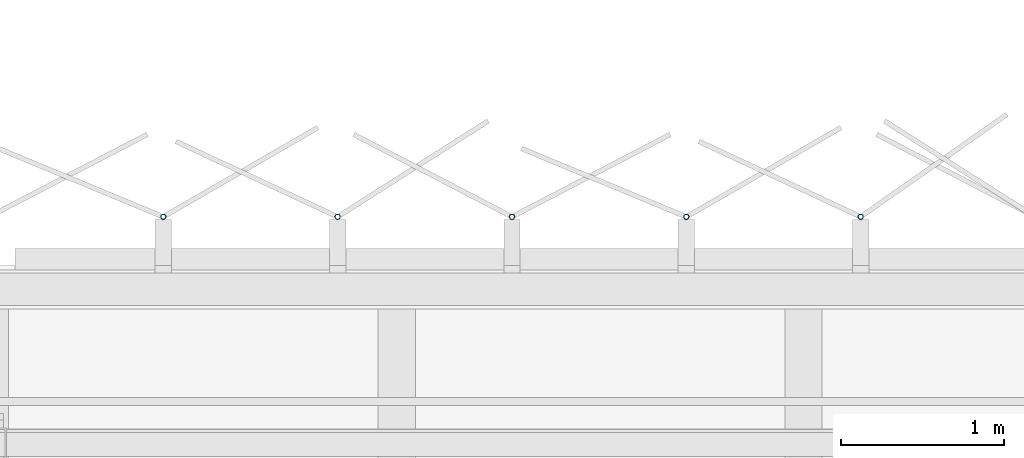
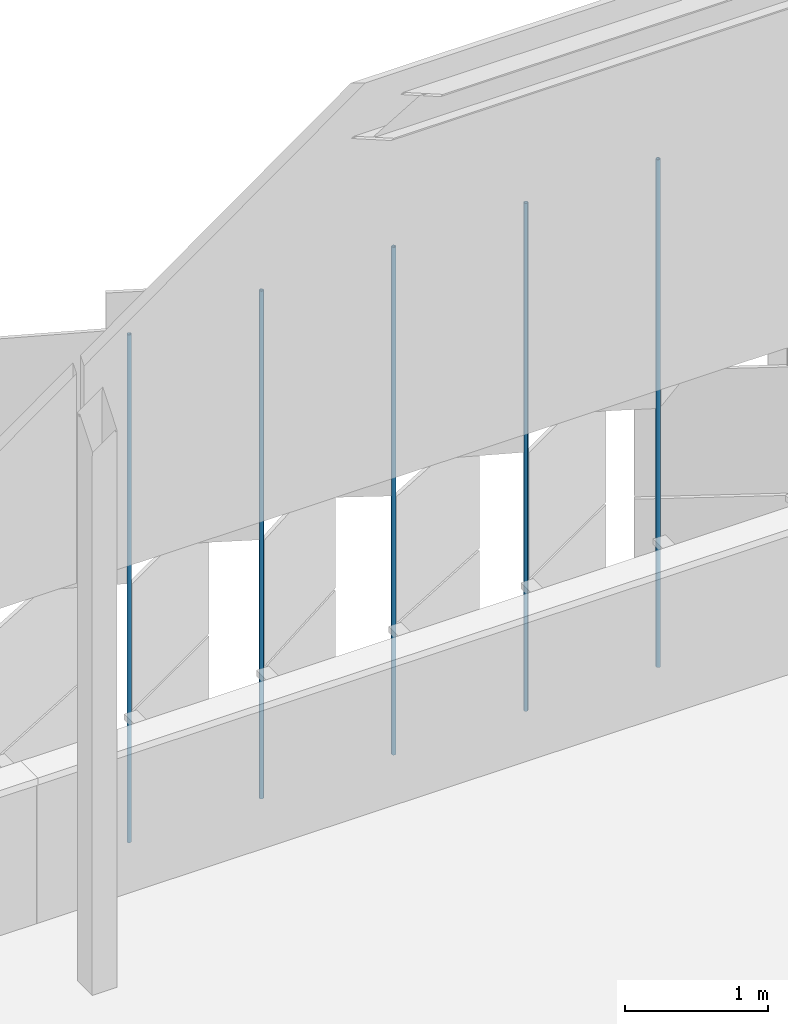
# One storey, part 349 of 483: 5 discrete accessories.
"""IFC4 building model written with IfcOpenShell, lengths in metres."""

import ifcopenshell
import ifcopenshell.guid

model = None  # the IFC model being written
_history = None  # IfcOwnerHistory: only IFC2X3 demands one
_inside = {}  # id of a spatial element -> (the spatial element, [elements in it])
_under = {}  # id of a project, library or spatial element -> (it, [spatial elements below it])
_declared = {}  # id of a project -> (the project, [libraries it declares])
_typed = {}  # id of a type object -> (the type object, [elements of that type])
_made_of = {}  # id of a material, layer set ... -> (it, [elements and type objects made of it])


def new_model(schema):
    """Start an empty IFC model of exactly this schema.

    Asked for "IFC4X3", IfcOpenShell would pick the latest addendum, in which some entities
    have other attributes; the version numbers below select the first issue.
    IFC2X3 requires an IfcOwnerHistory on every rooted entity: one is made here for all.
    """
    global model, _history
    if schema == "IFC4X3":
        model = ifcopenshell.file(schema_version=(4, 3, 0, 0))
    else:
        model = ifcopenshell.file(schema=schema)
    _inside.clear()
    _under.clear()
    _declared.clear()
    _typed.clear()
    _made_of.clear()
    _history = None
    if model.schema == "IFC2X3":
        org = make("IfcOrganization", Name="unknown")
        user = make(
            "IfcPersonAndOrganization",
            ThePerson=make("IfcPerson", FamilyName="unknown"),
            TheOrganization=org,
        )
        app = make(
            "IfcApplication",
            ApplicationDeveloper=org,
            Version="unknown",
            ApplicationFullName="unknown",
            ApplicationIdentifier="unknown",
        )
        _history = make(
            "IfcOwnerHistory",
            OwningUser=user,
            OwningApplication=app,
            ChangeAction="ADDED",
            CreationDate=0,
        )
    return model


def make(cls, **values):
    """One entity of the class cls with the attributes given. An attribute that is None is left unset."""
    return model.create_entity(
        cls, **{name: value for name, value in values.items() if value is not None}
    )


def rooted(cls, **values):
    """An entity with a GlobalId (a new one), such as an element, a storey or a relation."""
    return make(cls, GlobalId=ifcopenshell.guid.new(), OwnerHistory=_history, **values)


def si_unit(unit_type, name, prefix=None):
    """IfcSIUnit, for example si_unit("LENGTHUNIT", "METRE", prefix="MILLI")."""
    return make("IfcSIUnit", UnitType=unit_type, Prefix=prefix, Name=name)


def assignment(units):
    """IfcUnitAssignment: the units of a project."""
    return None if units is None else make("IfcUnitAssignment", Units=units)


def point(xyz):
    """IfcCartesianPoint."""
    return None if xyz is None else make("IfcCartesianPoint", Coordinates=xyz)


def direction(xyz):
    """IfcDirection."""
    return None if xyz is None else make("IfcDirection", DirectionRatios=xyz)


def frame(location, z_axis=None, x_axis=None):
    """IfcAxis2Placement3D, a coordinate frame: its origin and axes. An axis left out is left unset."""
    return make(
        "IfcAxis2Placement3D",
        Location=point(location),
        Axis=direction(z_axis),
        RefDirection=direction(x_axis),
    )


def frame_2d(location, x_axis=None):
    """IfcAxis2Placement2D, a coordinate frame in the plane: its origin and x axis."""
    return make(
        "IfcAxis2Placement2D", Location=point(location), RefDirection=direction(x_axis)
    )


def origin():
    """The frame at (0, 0, 0) with its axes left unset."""
    return frame((0.0, 0.0, 0.0))


def origin_2d():
    """The frame at (0, 0) in the plane with its x axis left unset."""
    return frame_2d((0.0, 0.0))


def place(relative_to, where):
    """IfcLocalPlacement: puts the frame where relative to a parent placement (None: the world)."""
    return make(
        "IfcLocalPlacement", PlacementRelTo=relative_to, RelativePlacement=where
    )


def context(
    kind, dimensions, precision=None, world=None, true_north=None, identifier=None
):
    """IfcGeometricRepresentationContext, for example the 3D "Model" context."""
    return make(
        "IfcGeometricRepresentationContext",
        ContextIdentifier=identifier,
        ContextType=kind,
        CoordinateSpaceDimension=dimensions,
        Precision=precision,
        WorldCoordinateSystem=world,
        TrueNorth=true_north,
    )


def subcontext(parent, identifier, kind, view, scale=None):
    """IfcGeometricRepresentationSubContext, for example "Body" below "Model"."""
    return make(
        "IfcGeometricRepresentationSubContext",
        ContextIdentifier=identifier,
        ContextType=kind,
        ParentContext=parent,
        TargetScale=scale,
        TargetView=view,
    )


def project(units=None, contexts=None):
    """IfcProject with its units and contexts."""
    return rooted(
        "IfcProject",
        Name="project",
        RepresentationContexts=contexts,
        UnitsInContext=assignment(units),
    )


def spatial(cls, under=None, at=None, **own):
    """A site, building, storey or space (cls), placed at a placement, below another one or the project."""
    s = rooted(cls, ObjectPlacement=at, **own)
    if under is not None:
        _under.setdefault(under.id(), (under, []))[1].append(s)
    return s


def profile(cls, at=None, kind="AREA", **sizes):
    """A parametric profile (cls). Its sizes go by their IFC names, for example OverallWidth=200.0."""
    return make(cls, ProfileType=kind, Position=at, **sizes)


def hollow_circle(**sizes):
    """IfcCircleHollowProfileDef."""
    return profile("IfcCircleHollowProfileDef", **sizes)


def extrude(swept, where, along, depth):
    """IfcExtrudedAreaSolid: the profile swept, set in the frame where, extruded along a direction by depth."""
    return make(
        "IfcExtrudedAreaSolid",
        SweptArea=swept,
        Position=where,
        ExtrudedDirection=direction(along),
        Depth=depth,
    )


def shape(context_of_items, identifier, shape_type, items):
    """IfcShapeRepresentation: the items that make up one representation, for example the "Body"."""
    return make(
        "IfcShapeRepresentation",
        ContextOfItems=context_of_items,
        RepresentationIdentifier=identifier,
        RepresentationType=shape_type,
        Items=items,
    )


def material(Name=None, Category=None):
    """IfcMaterial."""
    return make("IfcMaterial", Name=Name, Category=Category)


def material_profile(
    of_material, cross_section, Name=None, Category=None, Priority=None
):
    """IfcMaterialProfile: a cross section and its material."""
    return make(
        "IfcMaterialProfile",
        Name=Name,
        Material=of_material,
        Profile=cross_section,
        Priority=Priority,
        Category=Category,
    )


def profile_set(profiles, Name=None, composite=None):
    """IfcMaterialProfileSet."""
    return make(
        "IfcMaterialProfileSet",
        Name=Name,
        MaterialProfiles=profiles,
        CompositeProfile=composite,
    )


def made_of(thing, what):
    """Note that an element or type object is made of a material, layer set ...; save() writes the relation."""
    if what is not None:
        _made_of.setdefault(what.id(), (what, []))[1].append(thing)
    return thing


def type_object(cls, material=None, **own):
    """A type object (cls), such as IfcWallType, which elements share."""
    return made_of(rooted(cls, **own), material)


def element(
    cls,
    number,
    at=None,
    inside=None,
    cuts=None,
    type_object=None,
    material=None,
    context=None,
    identifier="Body",
    shape_type=None,
    held_by="IfcProductDefinitionShape",
    body=None,
    shapes=None,
    **own,
):
    """One element of the class cls, such as IfcWall. Its Tag is "e" and its number.

    at: its placement. inside: the storey or other place that contains it. cuts: it is an
    opening in that element (IfcRelVoidsElement). A single representation is given by context,
    identifier, shape_type and body (its items); several are given by shapes. held_by: the class
    of the entity that holds the representations. save() writes the other relations.
    """
    e = rooted(cls, Tag="e%d" % number, ObjectPlacement=at, **own)
    if body is not None:
        shapes = [shape(context, identifier, shape_type, body)]
    if shapes is not None:
        e.Representation = make(held_by, Representations=shapes)
    if inside is not None:
        _inside.setdefault(inside.id(), (inside, []))[1].append(e)
    if cuts is not None:
        rooted(
            "IfcRelVoidsElement", RelatingBuildingElement=cuts, RelatedOpeningElement=e
        )
    if type_object is not None:
        _typed.setdefault(type_object.id(), (type_object, []))[1].append(e)
    return made_of(e, material)


def aggregate(whole, parts):
    """IfcRelAggregates: a whole, such as a stair, and the parts it consists of."""
    return rooted("IfcRelAggregates", RelatingObject=whole, RelatedObjects=parts)


def save(model, path):
    """Write the relations noted so far, then the file.

    IfcRelAggregates (storeys below a building ...), IfcRelContainedInSpatialStructure (elements
    in a storey), IfcRelDefinesByType, IfcRelAssociatesMaterial and IfcRelDeclares: one each for
    every whole, place, type object, material and project.
    """
    for whole, parts in _under.values():
        aggregate(whole, parts)
    for where, things in _inside.values():
        rooted(
            "IfcRelContainedInSpatialStructure",
            RelatedElements=things,
            RelatingStructure=where,
        )
    for kind, things in _typed.values():
        rooted("IfcRelDefinesByType", RelatedObjects=things, RelatingType=kind)
    for what, things in _made_of.values():
        rooted("IfcRelAssociatesMaterial", RelatedObjects=things, RelatingMaterial=what)
    for by, libraries in _declared.values():
        rooted("IfcRelDeclares", RelatingContext=by, RelatedDefinitions=libraries)
    model.write(path)


model = new_model("IFC4")

# Units and contexts
model_context = context("Model", 3, precision=1e-05, world=origin(), true_north=direction((0.0, 1.0)))
body_context = subcontext(model_context, "Body", "Model", "MODEL_VIEW")
ifc_project = project(units=[si_unit("LENGTHUNIT", "METRE"), si_unit("AREAUNIT", "SQUARE_METRE"), si_unit("VOLUMEUNIT", "CUBIC_METRE"), si_unit("PLANEANGLEUNIT", "RADIAN"), si_unit("MASSUNIT", "GRAM", prefix="KILO")], contexts=[model_context])

# Site, building, storey
site_placement = place(None, origin())
site = spatial("IfcSite", under=ifc_project, at=site_placement, CompositionType="ELEMENT")
building_placement = place(site_placement, origin())
building = spatial("IfcBuilding", under=site, at=building_placement, Name="Parallax Yard Mobility Hub", CompositionType="ELEMENT")
storey_placement = place(building_placement, frame((0.0, 0.0, 13.199951171875)))
storey = spatial("IfcBuildingStorey", under=building, at=storey_placement, Name="L04", CompositionType="ELEMENT", Elevation=13.199951171875)

# Discrete accessories
ifc_material = material(Name="Steel ASTM A500 Gr C, hot-dip galvanised", Category="steel")
ifc_material_profile = material_profile(ifc_material, hollow_circle(Radius=0.016845703125, WallThickness=0.003173828125, at=origin_2d()), Name="CHS 33.7x3.2")
ifc_profile_set = profile_set([ifc_material_profile], Name="Steel ASTM A500 Gr C, hot-dip galvanised")
discrete_accessory_type = type_object("IfcDiscreteAccessoryType", Name="Hinge post CHS 33.7x3.2", PredefinedType="BRACKET", material=ifc_profile_set)
for number, where, z_axis, x_axis, name in (
    (1, (110.351806640625, 142.800048828125, 0.0), (0.0, 0.0, 1.0), (1.0, 0.0, 0.0), "Hinge post bay 59.3 level L04"),
    (2, (109.280029296875, 142.800048828125, 0.0), (0.0, 0.0, 1.0), (1.0, 0.0, 0.0), "Hinge post bay 59.4 level L04"),
    (3, (108.20849609375, 142.800048828125, 0.0), (0.0, 0.0, 1.0), (1.0, 0.0, 0.0), "Hinge post bay 59.5 level L04"),
    (4, (107.136962890625, 142.800048828125, 0.0), (0.0, 0.0, 1.0), (1.0, 0.0, 0.0), "Hinge post bay 59.6 level L04"),
    (5, (106.0654296875, 142.800048828125, 0.0), (0.0, 0.0, 1.0), (1.0, 0.0, 0.0), "Hinge post bay 59.7 level L04"),
):
    element("IfcDiscreteAccessory", number, at=place(storey_placement, frame(where, z_axis=z_axis, x_axis=x_axis)), inside=storey, type_object=discrete_accessory_type, Name=name, PredefinedType="BRACKET", context=body_context, shape_type="SweptSolid", body=[
        extrude(hollow_circle(Radius=0.016845703125, WallThickness=0.003173828125, at=origin_2d()), origin(), (0.0, 0.0, 1.0), 4.35009765625),
    ])

save(model, "model.ifc")
